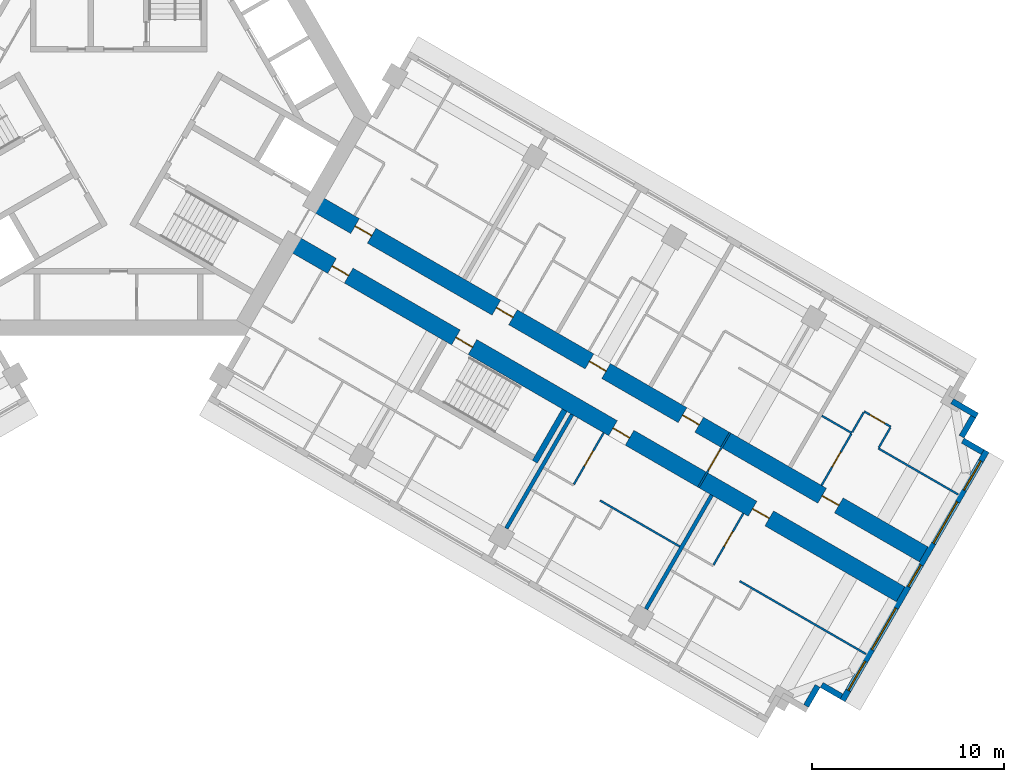
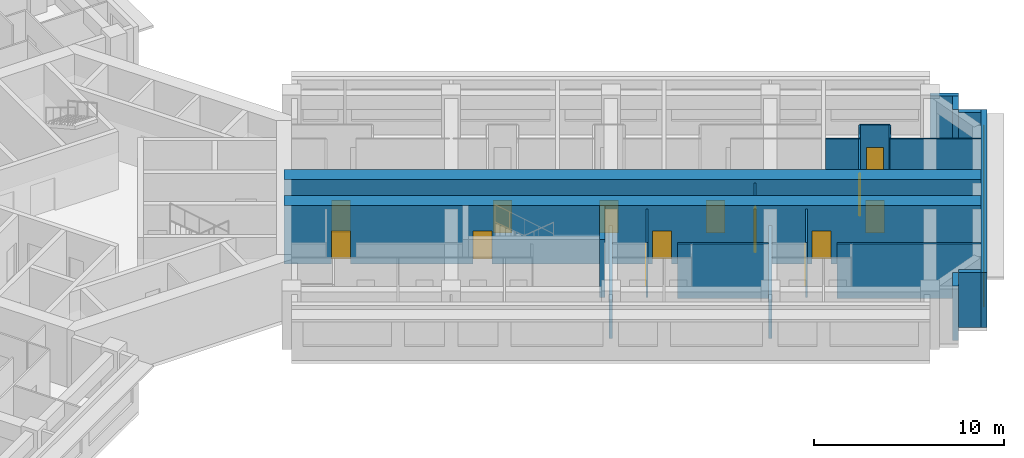
# One storey, part 11 of 14: 22 walls, 14 doors, 5 windows, 19 openings.
"""IFC4 building model written with IfcOpenShell, lengths in metres."""

from ifc_helpers import new_model, si_unit, direction, frame, frame_2d, origin, place, context, subcontext, project, spatial, rectangle, extrude, material, layer, layer_set, type_object, element, fill, save


model = new_model("IFC4")

# Units and contexts
model_context = context("Model", 3, precision=1e-05, world=origin(), true_north=direction((0.0, 1.0)))
body_context = subcontext(model_context, "Body", "Model", "MODEL_VIEW")
ifc_project = project(units=[si_unit("LENGTHUNIT", "METRE"), si_unit("AREAUNIT", "SQUARE_METRE"), si_unit("VOLUMEUNIT", "CUBIC_METRE"), si_unit("PLANEANGLEUNIT", "RADIAN"), si_unit("MASSUNIT", "GRAM", prefix="KILO")], contexts=[model_context])

# Site, building, storey
site_placement = place(None, origin())
site = spatial("IfcSite", under=ifc_project, at=site_placement, CompositionType="ELEMENT")
building_placement = place(site_placement, origin())
building = spatial("IfcBuilding", under=site, at=building_placement, Name="Impinga Residences", CompositionType="ELEMENT")
storey_placement = place(building_placement, frame((0.0, 0.0, 121.0)))
storey = spatial("IfcBuildingStorey", under=building, at=storey_placement, Name="L29", CompositionType="ELEMENT", Elevation=121.0)

# Wall, openings, doors
ifc_material_1 = material(Name="Concrete C60/75", Category="concrete")
ifc_layer_1 = layer(ifc_material_1, 0.89990234375)
ifc_layer_set_1 = layer_set([ifc_layer_1], Name="Concrete C60/75")
wall_type_1 = type_object("IfcWallType", Name="BW2 corridor buttress wall, L24 to L44 900", PredefinedType="SHEAR", material=ifc_layer_set_1)
wall_1_placement = place(storey_placement, frame((10.153564453125, -4.4765625, 0.0), z_axis=(0.0, 0.0, 1.0), x_axis=(0.866027614434, -0.499996171023, 0.0)))
wall_1 = element("IfcWall", 1, at=wall_1_placement, inside=storey, type_object=wall_type_1, Name="Corridor wall BW2 EC L29", PredefinedType="SHEAR", context=body_context, shape_type="SweptSolid", body=[
    extrude(rectangle(XDim=36.699951171875, YDim=0.89990234375, at=frame_2d((18.35009765625, 0.0))), origin(), (0.0, 0.0, 1.0), 3.75),
])
opening_1_placement = place(wall_1_placement, frame((2.5, 0.0, 0.0)))
opening_1 = element("IfcOpeningElement", 2, at=opening_1_placement, cuts=wall_1, Name="Opening D1", PredefinedType="OPENING", context=body_context, shape_type="SweptSolid", body=[
    extrude(rectangle(XDim=1.0, YDim=2.10009765625, at=frame_2d((0.5, 1.050048828125))), frame((0.0, 0.4599609375, 0.0), z_axis=(0.0, -1.0, 0.0), x_axis=(1.0, 0.0, 0.0)), (0.0, 0.0, 1.0), 0.919921875),
])
opening_2_placement = place(wall_1_placement, frame((11.0, 0.0, 0.0)))
opening_2 = element("IfcOpeningElement", 3, at=opening_2_placement, cuts=wall_1, Name="Opening D1", PredefinedType="OPENING", context=body_context, shape_type="SweptSolid", body=[
    extrude(rectangle(XDim=1.0, YDim=2.10009765625, at=frame_2d((0.5, 1.050048828125))), frame((0.0, 0.4599609375, 0.0), z_axis=(0.0, -1.0, 0.0), x_axis=(1.0, 0.0, 0.0)), (0.0, 0.0, 1.0), 0.919921875),
])
opening_3_placement = place(wall_1_placement, frame((16.60009765625, 0.0, 0.0)))
opening_3 = element("IfcOpeningElement", 4, at=opening_3_placement, cuts=wall_1, Name="Opening D1", PredefinedType="OPENING", context=body_context, shape_type="SweptSolid", body=[
    extrude(rectangle(XDim=1.0, YDim=2.10009765625, at=frame_2d((0.5, 1.050048828125))), frame((0.0, 0.4599609375, 0.0), z_axis=(0.0, -1.0, 0.0), x_axis=(1.0, 0.0, 0.0)), (0.0, 0.0, 1.0), 0.919921875),
])
opening_4_placement = place(wall_1_placement, frame((22.199951171875, 0.0, 0.0)))
opening_4 = element("IfcOpeningElement", 5, at=opening_4_placement, cuts=wall_1, Name="Opening D1", PredefinedType="OPENING", context=body_context, shape_type="SweptSolid", body=[
    extrude(rectangle(XDim=1.0, YDim=2.10009765625, at=frame_2d((0.5, 1.050048828125))), frame((0.0, 0.4599609375, 0.0), z_axis=(0.0, -1.0, 0.0), x_axis=(1.0, 0.0, 0.0)), (0.0, 0.0, 1.0), 0.919921875),
])
opening_5_placement = place(wall_1_placement, frame((30.60009765625, 0.0, 0.0)))
opening_5 = element("IfcOpeningElement", 6, at=opening_5_placement, cuts=wall_1, Name="Opening D1", PredefinedType="OPENING", context=body_context, shape_type="SweptSolid", body=[
    extrude(rectangle(XDim=1.0, YDim=2.10009765625, at=frame_2d((0.5, 1.050048828125))), frame((0.0, 0.4599609375, 0.0), z_axis=(0.0, -1.0, 0.0), x_axis=(1.0, 0.0, 0.0)), (0.0, 0.0, 1.0), 0.919921875),
])
ifc_material_2 = material(Name="Timber door set", Category="wood")
door_type_1 = type_object("IfcDoorType", Name="D1 apartment entrance door 1000x2100", OperationType="SINGLE_SWING_LEFT", PredefinedType="DOOR", material=ifc_material_2)
door_1_placement = place(opening_1_placement, origin())
door_1 = element("IfcDoor", 7, at=door_1_placement, inside=storey, type_object=door_type_1, Name="Apartment L29-EA1 entrance", OperationType="SINGLE_SWING_LEFT", OverallHeight=2.10009765625, OverallWidth=1.0, PredefinedType="DOOR", context=body_context, shape_type="SweptSolid", body=[
    extrude(rectangle(XDim=1.0, YDim=2.10009765625, at=frame_2d((0.5, 1.050048828125))), frame((0.0, 0.02490234375, 0.0), z_axis=(0.0, -1.0, 0.0), x_axis=(1.0, 0.0, 0.0)), (0.0, 0.0, 1.0), 0.050048828125),
])
fill(opening_1, door_1)
door_2_placement = place(opening_2_placement, origin())
door_2 = element("IfcDoor", 8, at=door_2_placement, inside=storey, type_object=door_type_1, Name="Apartment L29-EA2 entrance", OperationType="SINGLE_SWING_LEFT", OverallHeight=2.10009765625, OverallWidth=1.0, PredefinedType="DOOR", context=body_context, shape_type="SweptSolid", body=[
    extrude(rectangle(XDim=1.0, YDim=2.10009765625, at=frame_2d((0.5, 1.050048828125))), frame((0.0, 0.02490234375, 0.0), z_axis=(0.0, -1.0, 0.0), x_axis=(1.0, 0.0, 0.0)), (0.0, 0.0, 1.0), 0.050048828125),
])
fill(opening_2, door_2)
door_3_placement = place(opening_3_placement, origin())
door_3 = element("IfcDoor", 9, at=door_3_placement, inside=storey, type_object=door_type_1, Name="Apartment L29-EA3 entrance", OperationType="SINGLE_SWING_LEFT", OverallHeight=2.10009765625, OverallWidth=1.0, PredefinedType="DOOR", context=body_context, shape_type="SweptSolid", body=[
    extrude(rectangle(XDim=1.0, YDim=2.10009765625, at=frame_2d((0.5, 1.050048828125))), frame((0.0, 0.02490234375, 0.0), z_axis=(0.0, -1.0, 0.0), x_axis=(1.0, 0.0, 0.0)), (0.0, 0.0, 1.0), 0.050048828125),
])
fill(opening_3, door_3)
door_4_placement = place(opening_4_placement, origin())
door_4 = element("IfcDoor", 10, at=door_4_placement, inside=storey, type_object=door_type_1, Name="Apartment L29-EA4 entrance", OperationType="SINGLE_SWING_RIGHT", OverallHeight=2.10009765625, OverallWidth=1.0, PredefinedType="DOOR", context=body_context, shape_type="SweptSolid", body=[
    extrude(rectangle(XDim=1.0, YDim=2.10009765625, at=frame_2d((0.5, 1.050048828125))), frame((0.0, 0.02490234375, 0.0), z_axis=(0.0, -1.0, 0.0), x_axis=(1.0, 0.0, 0.0)), (0.0, 0.0, 1.0), 0.050048828125),
])
fill(opening_4, door_4)
door_5_placement = place(opening_5_placement, origin())
door_5 = element("IfcDoor", 11, at=door_5_placement, inside=storey, type_object=door_type_1, Name="Apartment L29-EA5 entrance", OperationType="SINGLE_SWING_RIGHT", OverallHeight=2.10009765625, OverallWidth=1.0, PredefinedType="DOOR", context=body_context, shape_type="SweptSolid", body=[
    extrude(rectangle(XDim=1.0, YDim=2.10009765625, at=frame_2d((0.5, 1.050048828125))), frame((0.0, 0.02490234375, 0.0), z_axis=(0.0, -1.0, 0.0), x_axis=(1.0, 0.0, 0.0)), (0.0, 0.0, 1.0), 0.050048828125),
])
fill(opening_5, door_5)

wall_2_placement = place(storey_placement, frame((8.95361328125, -6.554931640625, 0.0), z_axis=(0.0, 0.0, 1.0), x_axis=(0.866024733898, -0.500001160275, 0.0)))
wall_2 = element("IfcWall", 12, at=wall_2_placement, inside=storey, type_object=wall_type_1, Name="Corridor wall BW2 ED L29", PredefinedType="SHEAR", context=body_context, shape_type="SweptSolid", body=[
    extrude(rectangle(XDim=36.7001953125, YDim=0.89990234375, at=frame_2d((18.35009765625, 0.0))), origin(), (0.0, 0.0, 1.0), 3.75),
])
opening_6_placement = place(wall_2_placement, frame((9.949951171875, 0.0, 0.0)))
opening_6 = element("IfcOpeningElement", 13, at=opening_6_placement, cuts=wall_2, Name="Opening D5", PredefinedType="OPENING", context=body_context, shape_type="SweptSolid", body=[
    extrude(rectangle(XDim=1.0, YDim=2.10009765625, at=frame_2d((0.5, 1.050048828125))), frame((0.0, 0.4599609375, 0.0), z_axis=(0.0, -1.0, 0.0), x_axis=(1.0, 0.0, 0.0)), (0.0, 0.0, 1.0), 0.919921875),
])
opening_7_placement = place(wall_2_placement, frame((2.5, 0.0, 0.0)))
opening_7 = element("IfcOpeningElement", 14, at=opening_7_placement, cuts=wall_2, Name="Opening D1", PredefinedType="OPENING", context=body_context, shape_type="SweptSolid", body=[
    extrude(rectangle(XDim=1.0, YDim=2.10009765625, at=frame_2d((0.5, 1.050048828125))), frame((0.0, 0.4599609375, 0.0), z_axis=(0.0, -1.0, 0.0), x_axis=(1.0, 0.0, 0.0)), (0.0, 0.0, 1.0), 0.919921875),
])
opening_8_placement = place(wall_2_placement, frame((19.39990234375, 0.0, 0.0)))
opening_8 = element("IfcOpeningElement", 15, at=opening_8_placement, cuts=wall_2, Name="Opening D1", PredefinedType="OPENING", context=body_context, shape_type="SweptSolid", body=[
    extrude(rectangle(XDim=1.0, YDim=2.10009765625, at=frame_2d((0.5, 1.050048828125))), frame((0.0, 0.4599609375, 0.0), z_axis=(0.0, -1.0, 0.0), x_axis=(1.0, 0.0, 0.0)), (0.0, 0.0, 1.0), 0.919921875),
])
opening_9_placement = place(wall_2_placement, frame((27.800048828125, 0.0, 0.0)))
opening_9 = element("IfcOpeningElement", 16, at=opening_9_placement, cuts=wall_2, Name="Opening D1", PredefinedType="OPENING", context=body_context, shape_type="SweptSolid", body=[
    extrude(rectangle(XDim=1.0, YDim=2.10009765625, at=frame_2d((0.5, 1.050048828125))), frame((0.0, 0.4599609375, 0.0), z_axis=(0.0, -1.0, 0.0), x_axis=(1.0, 0.0, 0.0)), (0.0, 0.0, 1.0), 0.919921875),
])
door_6_placement = place(opening_7_placement, origin())
door_6 = element("IfcDoor", 17, at=door_6_placement, inside=storey, type_object=door_type_1, Name="Apartment L29-EF1 entrance", OperationType="SINGLE_SWING_LEFT", OverallHeight=2.10009765625, OverallWidth=1.0, PredefinedType="DOOR", context=body_context, shape_type="SweptSolid", body=[
    extrude(rectangle(XDim=1.0, YDim=2.10009765625, at=frame_2d((0.5, 1.050048828125))), frame((0.0, 0.02490234375, 0.0), z_axis=(0.0, -1.0, 0.0), x_axis=(1.0, 0.0, 0.0)), (0.0, 0.0, 1.0), 0.050048828125),
])
fill(opening_7, door_6)
door_7_placement = place(opening_8_placement, origin())
door_7 = element("IfcDoor", 18, at=door_7_placement, inside=storey, type_object=door_type_1, Name="Apartment L29-EF2 entrance", OperationType="SINGLE_SWING_RIGHT", OverallHeight=2.10009765625, OverallWidth=1.0, PredefinedType="DOOR", context=body_context, shape_type="SweptSolid", body=[
    extrude(rectangle(XDim=1.0, YDim=2.10009765625, at=frame_2d((0.5, 1.050048828125))), frame((0.0, 0.02490234375, 0.0), z_axis=(0.0, -1.0, 0.0), x_axis=(1.0, 0.0, 0.0)), (0.0, 0.0, 1.0), 0.050048828125),
])
fill(opening_8, door_7)
door_8_placement = place(opening_9_placement, origin())
door_8 = element("IfcDoor", 19, at=door_8_placement, inside=storey, type_object=door_type_1, Name="Apartment L29-EF3 entrance", OperationType="SINGLE_SWING_RIGHT", OverallHeight=2.10009765625, OverallWidth=1.0, PredefinedType="DOOR", context=body_context, shape_type="SweptSolid", body=[
    extrude(rectangle(XDim=1.0, YDim=2.10009765625, at=frame_2d((0.5, 1.050048828125))), frame((0.0, 0.02490234375, 0.0), z_axis=(0.0, -1.0, 0.0), x_axis=(1.0, 0.0, 0.0)), (0.0, 0.0, 1.0), 0.050048828125),
])
fill(opening_9, door_8)
door_type_2 = type_object("IfcDoorType", Name="D5 stair door 1000x2100", OperationType="SINGLE_SWING_LEFT", PredefinedType="DOOR", material=ifc_material_2)
door_9_placement = place(opening_6_placement, origin())
door_9 = element("IfcDoor", 20, at=door_9_placement, inside=storey, type_object=door_type_2, Name="Wing stair door E", OperationType="SINGLE_SWING_LEFT", OverallHeight=2.10009765625, OverallWidth=1.0, PredefinedType="DOOR", context=body_context, shape_type="SweptSolid", body=[
    extrude(rectangle(XDim=1.0, YDim=2.10009765625, at=frame_2d((0.5, 1.050048828125))), frame((0.0, 0.02490234375, 0.0), z_axis=(0.0, -1.0, 0.0), x_axis=(1.0, 0.0, 0.0)), (0.0, 0.0, 1.0), 0.050048828125),
])
fill(opening_6, door_9)

# Wall, opening, door
ifc_material_3 = material(Name="Concrete blockwork", Category="masonry")
ifc_layer_2 = layer(ifc_material_3, 0.10009765625)
ifc_layer_set_2 = layer_set([ifc_layer_2], Name="CP1 core room partition, blockwork 100")
wall_type_2 = type_object("IfcWallType", Name="CP1 core room partition, blockwork 100", PredefinedType="PARTITIONING", material=ifc_layer_set_2)
wall_3_placement = place(storey_placement, frame((31.85595703125, -16.48681640625, 0.0), z_axis=(0.0, 0.0, 1.0), x_axis=(-0.499974350878, -0.866040211805, 0.0)))
wall_3 = element("IfcWall", 21, at=wall_3_placement, inside=storey, type_object=wall_type_2, Name="Core room partition, blockwork L29:E:PLB", PredefinedType="PARTITIONING", context=body_context, shape_type="SweptSolid", body=[
    extrude(rectangle(XDim=3.300048828125, YDim=0.10009765625, at=frame_2d((1.64990234375, 0.0))), origin(), (0.0, 0.0, 1.0), 3.530029296875),
])
opening_10_placement = place(wall_3_placement, frame((1.050048828125, 0.0, 0.0)))
opening_10 = element("IfcOpeningElement", 22, at=opening_10_placement, cuts=wall_3, Name="Opening D3", PredefinedType="OPENING", context=body_context, shape_type="SweptSolid", body=[
    extrude(rectangle(XDim=1.199951171875, YDim=2.10009765625, at=frame_2d((0.60009765625, 1.050048828125))), frame((0.0, 0.06005859375, 0.0), z_axis=(0.0, -1.0, 0.0), x_axis=(1.0, 0.0, 0.0)), (0.0, 0.0, 1.0), 0.1201171875),
])
door_type_3 = type_object("IfcDoorType", Name="D3 room door, leaf and a half 1200x2100", OperationType="DOUBLE_SWING_LEFT", PredefinedType="DOOR", material=ifc_material_2)
door_10_placement = place(opening_10_placement, origin())
door_10 = element("IfcDoor", 23, at=door_10_placement, inside=storey, type_object=door_type_3, Name="Private lobby door E", OperationType="DOUBLE_SWING_LEFT", OverallHeight=2.10009765625, OverallWidth=1.199951171875, PredefinedType="DOOR", context=body_context, shape_type="SweptSolid", body=[
    extrude(rectangle(XDim=1.199951171875, YDim=2.10009765625, at=frame_2d((0.60009765625, 1.050048828125))), frame((0.0, 0.02490234375, 0.0), z_axis=(0.0, -1.0, 0.0), x_axis=(1.0, 0.0, 0.0)), (0.0, 0.0, 1.0), 0.050048828125),
])
fill(opening_10, door_10)

# Walls
ifc_material_4 = material(Name="Terracotta rainscreen on blockwork", Category="masonry")
ifc_layer_3 = layer(ifc_material_4, 0.300048828125)
ifc_layer_set_3 = layer_set([ifc_layer_3], Name="EW1 external wall, terracotta rainscreen on blockwork 300")
wall_type_3 = type_object("IfcWallType", Name="EW1 external wall, terracotta rainscreen on blockwork 300", PredefinedType="SOLIDWALL", material=ifc_layer_set_3)
wall_4_placement = place(storey_placement, frame((43.42333984375, -14.8515625, 0.0), z_axis=(0.0, 0.0, 1.0), x_axis=(0.866031096941, -0.499990139034, 0.0)))
element("IfcWall", 24, at=wall_4_placement, inside=storey, type_object=wall_type_3, Name="External wall EW1 L29", PredefinedType="SOLIDWALL", context=body_context, shape_type="SweptSolid", body=[
    extrude(rectangle(XDim=1.5, YDim=0.300048828125, at=frame_2d((0.75, 0.0))), origin(), (0.0, 0.0, 1.0), 3.530029296875),
])
wall_5_placement = place(storey_placement, frame((44.517578125, -15.65625, 0.0), z_axis=(0.0, 0.0, 1.0), x_axis=(-0.500033551112, -0.866006032174, 0.0)))
element("IfcWall", 25, at=wall_5_placement, inside=storey, type_object=wall_type_3, Name="External wall EW1 L29", PredefinedType="SOLIDWALL", context=body_context, shape_type="SweptSolid", body=[
    extrude(rectangle(XDim=1.2001953125, YDim=0.300048828125, at=frame_2d((0.60009765625, 0.0))), origin(), (0.0, 0.0, 1.0), 3.530029296875),
])
wall_6_placement = place(storey_placement, frame((43.976806640625, -16.903076171875, 0.0), z_axis=(0.0, 0.0, 1.0), x_axis=(0.866059708757, -0.499940577336, 0.0)))
element("IfcWall", 26, at=wall_6_placement, inside=storey, type_object=wall_type_3, Name="External wall EW1 L29", PredefinedType="SOLIDWALL", context=body_context, shape_type="SweptSolid", body=[
    extrude(rectangle(XDim=1.195068359375, YDim=0.300048828125, at=frame_2d((0.59765625, 0.0))), origin(), (0.0, 0.0, 1.0), 3.530029296875),
])

# Wall, openings, windows
wall_7_placement = place(storey_placement, frame((45.216552734375, -17.445556640625, 0.0), z_axis=(0.0, 0.0, 1.0), x_axis=(-0.499997186618, -0.866027028085, 0.0)))
wall_7 = element("IfcWall", 27, at=wall_7_placement, inside=storey, type_object=wall_type_3, Name="External wall EW1 L29", PredefinedType="SOLIDWALL", context=body_context, shape_type="SweptSolid", body=[
    extrude(rectangle(XDim=15.0, YDim=0.300048828125, at=frame_2d((7.5, 0.0))), origin(), (0.0, 0.0, 1.0), 3.530029296875),
])
opening_11_placement = place(wall_7_placement, frame((0.60009765625, 0.0, 0.89990234375)))
opening_11 = element("IfcOpeningElement", 28, at=opening_11_placement, cuts=wall_7, Name="Opening W1", PredefinedType="OPENING", context=body_context, shape_type="SweptSolid", body=[
    extrude(rectangle(XDim=1.75, YDim=2.050048828125, at=frame_2d((0.875, 1.02490234375))), frame((0.0, 0.159912109375, 0.0), z_axis=(0.0, -1.0, 0.0), x_axis=(1.0, 0.0, 0.0)), (0.0, 0.0, 1.0), 0.320068359375),
])
opening_12_placement = place(wall_7_placement, frame((3.050048828125, 0.0, 0.89990234375)))
opening_12 = element("IfcOpeningElement", 29, at=opening_12_placement, cuts=wall_7, Name="Opening W2", PredefinedType="OPENING", context=body_context, shape_type="SweptSolid", body=[
    extrude(rectangle(XDim=2.5, YDim=2.050048828125, at=frame_2d((1.25, 1.02490234375))), frame((0.0, 0.159912109375, 0.0), z_axis=(0.0, -1.0, 0.0), x_axis=(1.0, 0.0, 0.0)), (0.0, 0.0, 1.0), 0.320068359375),
])
opening_13_placement = place(wall_7_placement, frame((6.85009765625, 0.0, 0.89990234375)))
opening_13 = element("IfcOpeningElement", 30, at=opening_13_placement, cuts=wall_7, Name="Opening W17", PredefinedType="OPENING", context=body_context, shape_type="SweptSolid", body=[
    extrude(rectangle(XDim=1.300048828125, YDim=2.050048828125, at=frame_2d((0.64990234375, 1.02490234375))), frame((0.0, 0.159912109375, 0.0), z_axis=(0.0, -1.0, 0.0), x_axis=(1.0, 0.0, 0.0)), (0.0, 0.0, 1.0), 0.320068359375),
])
opening_14_placement = place(wall_7_placement, frame((9.449951171875, 0.0, 0.89990234375)))
opening_14 = element("IfcOpeningElement", 31, at=opening_14_placement, cuts=wall_7, Name="Opening W2", PredefinedType="OPENING", context=body_context, shape_type="SweptSolid", body=[
    extrude(rectangle(XDim=2.5, YDim=2.050048828125, at=frame_2d((1.25, 1.02490234375))), frame((0.0, 0.159912109375, 0.0), z_axis=(0.0, -1.0, 0.0), x_axis=(1.0, 0.0, 0.0)), (0.0, 0.0, 1.0), 0.320068359375),
])
opening_15_placement = place(wall_7_placement, frame((12.64990234375, 0.0, 0.89990234375)))
opening_15 = element("IfcOpeningElement", 32, at=opening_15_placement, cuts=wall_7, Name="Opening W1", PredefinedType="OPENING", context=body_context, shape_type="SweptSolid", body=[
    extrude(rectangle(XDim=1.75, YDim=2.050048828125, at=frame_2d((0.875, 1.02490234375))), frame((0.0, 0.159912109375, 0.0), z_axis=(0.0, -1.0, 0.0), x_axis=(1.0, 0.0, 0.0)), (0.0, 0.0, 1.0), 0.320068359375),
])
ifc_material_5 = material(Name="Aluminium window, clear double glazing", Category="aluminium")
window_type_1 = type_object("IfcWindowType", Name="W1 ribbon window 1750x2050", PartitioningType="SINGLE_PANEL", PredefinedType="WINDOW", material=ifc_material_5)
window_1_placement = place(opening_11_placement, origin())
window_1 = element("IfcWindow", 33, at=window_1_placement, inside=storey, type_object=window_type_1, Name="Window L29", OverallHeight=2.050048828125, OverallWidth=1.75, PartitioningType="SINGLE_PANEL", PredefinedType="WINDOW", context=body_context, shape_type="SweptSolid", body=[
    extrude(rectangle(XDim=1.75, YDim=2.050048828125, at=frame_2d((0.875, 1.02490234375))), frame((0.0, 0.030029296875, 0.0), z_axis=(0.0, -1.0, 0.0), x_axis=(1.0, 0.0, 0.0)), (0.0, 0.0, 1.0), 0.06005859375),
])
fill(opening_11, window_1)
window_2_placement = place(opening_15_placement, origin())
window_2 = element("IfcWindow", 34, at=window_2_placement, inside=storey, type_object=window_type_1, Name="Window L29", OverallHeight=2.050048828125, OverallWidth=1.75, PartitioningType="SINGLE_PANEL", PredefinedType="WINDOW", context=body_context, shape_type="SweptSolid", body=[
    extrude(rectangle(XDim=1.75, YDim=2.050048828125, at=frame_2d((0.875, 1.02490234375))), frame((0.0, 0.030029296875, 0.0), z_axis=(0.0, -1.0, 0.0), x_axis=(1.0, 0.0, 0.0)), (0.0, 0.0, 1.0), 0.06005859375),
])
fill(opening_15, window_2)
window_type_2 = type_object("IfcWindowType", Name="W17 ribbon window 1300x2050", PartitioningType="SINGLE_PANEL", PredefinedType="WINDOW", material=ifc_material_5)
window_3_placement = place(opening_13_placement, origin())
window_3 = element("IfcWindow", 35, at=window_3_placement, inside=storey, type_object=window_type_2, Name="Window L29", OverallHeight=2.050048828125, OverallWidth=1.300048828125, PartitioningType="SINGLE_PANEL", PredefinedType="WINDOW", context=body_context, shape_type="SweptSolid", body=[
    extrude(rectangle(XDim=1.300048828125, YDim=2.050048828125, at=frame_2d((0.64990234375, 1.02490234375))), frame((0.0, 0.030029296875, 0.0), z_axis=(0.0, -1.0, 0.0), x_axis=(1.0, 0.0, 0.0)), (0.0, 0.0, 1.0), 0.06005859375),
])
fill(opening_13, window_3)
window_type_3 = type_object("IfcWindowType", Name="W2 ribbon window 2500x2050", PartitioningType="SINGLE_PANEL", PredefinedType="WINDOW", material=ifc_material_5)
window_4_placement = place(opening_12_placement, origin())
window_4 = element("IfcWindow", 36, at=window_4_placement, inside=storey, type_object=window_type_3, Name="Window L29", OverallHeight=2.050048828125, OverallWidth=2.5, PartitioningType="SINGLE_PANEL", PredefinedType="WINDOW", context=body_context, shape_type="SweptSolid", body=[
    extrude(rectangle(XDim=2.5, YDim=2.050048828125, at=frame_2d((1.25, 1.02490234375))), frame((0.0, 0.030029296875, 0.0), z_axis=(0.0, -1.0, 0.0), x_axis=(1.0, 0.0, 0.0)), (0.0, 0.0, 1.0), 0.06005859375),
])
fill(opening_12, window_4)
window_5_placement = place(opening_14_placement, origin())
window_5 = element("IfcWindow", 37, at=window_5_placement, inside=storey, type_object=window_type_3, Name="Window L29", OverallHeight=2.050048828125, OverallWidth=2.5, PartitioningType="SINGLE_PANEL", PredefinedType="WINDOW", context=body_context, shape_type="SweptSolid", body=[
    extrude(rectangle(XDim=2.5, YDim=2.050048828125, at=frame_2d((1.25, 1.02490234375))), frame((0.0, 0.030029296875, 0.0), z_axis=(0.0, -1.0, 0.0), x_axis=(1.0, 0.0, 0.0)), (0.0, 0.0, 1.0), 0.06005859375),
])
fill(opening_14, window_5)

# Walls
wall_8_placement = place(storey_placement, frame((37.66162109375, -30.23095703125, 0.0), z_axis=(0.0, 0.0, 1.0), x_axis=(-0.866059708757, 0.499940577336, 0.0)))
element("IfcWall", 38, at=wall_8_placement, inside=storey, type_object=wall_type_3, Name="External wall EW1 L29", PredefinedType="SOLIDWALL", context=body_context, shape_type="SweptSolid", body=[
    extrude(rectangle(XDim=1.195068359375, YDim=0.300048828125, at=frame_2d((0.59765625, 0.0))), origin(), (0.0, 0.0, 1.0), 3.530029296875),
])
wall_9_placement = place(storey_placement, frame((36.41748046875, -29.68603515625, 0.0), z_axis=(0.0, 0.0, 1.0), x_axis=(-0.499969057507, -0.866043267704, 0.0)))
element("IfcWall", 39, at=wall_9_placement, inside=storey, type_object=wall_type_3, Name="External wall EW1 L29", PredefinedType="SOLIDWALL", context=body_context, shape_type="SweptSolid", body=[
    extrude(rectangle(XDim=1.19970703125, YDim=0.300048828125, at=frame_2d((0.599853515625, 0.0))), origin(), (0.0, 0.0, 1.0), 3.530029296875),
])
ifc_material_6 = material(Name="Gypsum board on steel studs", Category="steel")
ifc_layer_4 = layer(ifc_material_6, 0.10009765625)
ifc_layer_set_4 = layer_set([ifc_layer_4], Name="Gypsum board on steel studs")
wall_type_4 = type_object("IfcWallType", Name="IP1 partition 100", PredefinedType="PARTITIONING", material=ifc_layer_set_4)
wall_10_placement = place(storey_placement, frame((36.63525390625, -15.60888671875, 0.0), z_axis=(0.0, 0.0, 1.0), x_axis=(0.866047807691, -0.499961193289, 0.0)))
element("IfcWall", 40, at=wall_10_placement, inside=storey, type_object=wall_type_4, Name="Partition L29-EA5:DIV0", PredefinedType="PARTITIONING", context=body_context, shape_type="SweptSolid", body=[
    extrude(rectangle(XDim=1.800048828125, YDim=0.10009765625, at=frame_2d((0.89990234375, 0.0))), origin(), (0.0, 0.0, 1.0), 3.530029296875),
])
wall_11_placement = place(storey_placement, frame((39.579833984375, -17.308837890625, 0.0), z_axis=(0.0, 0.0, 1.0), x_axis=(0.866037363387, -0.499979284789, 0.0)))
element("IfcWall", 41, at=wall_11_placement, inside=storey, type_object=wall_type_4, Name="Partition L29-EA5:DIV1", PredefinedType="PARTITIONING", context=body_context, shape_type="SweptSolid", body=[
    extrude(rectangle(XDim=4.800048828125, YDim=0.10009765625, at=frame_2d((2.39990234375, 0.0))), origin(), (0.0, 0.0, 1.0), 3.530029296875),
])

# Wall, opening, door
wall_12_placement = place(storey_placement, frame((38.84423828125, -15.383056640625, 0.0), z_axis=(0.0, 0.0, 1.0), x_axis=(0.865989903783, -0.500061482766, 0.0)))
wall_12 = element("IfcWall", 42, at=wall_12_placement, inside=storey, type_object=wall_type_4, Name="Partition L29-EA5:STRIP", PredefinedType="PARTITIONING", context=body_context, shape_type="SweptSolid", body=[
    extrude(rectangle(XDim=1.599853515625, YDim=0.10009765625, at=frame_2d((0.7998046875, 0.0))), origin(), (0.0, 0.0, 1.0), 3.530029296875),
])
opening_16_placement = place(wall_12_placement, frame((0.35009765625, 0.0, 0.0)))
opening_16 = element("IfcOpeningElement", 43, at=opening_16_placement, cuts=wall_12, Name="Opening D2", PredefinedType="OPENING", context=body_context, shape_type="SweptSolid", body=[
    extrude(rectangle(XDim=0.89990234375, YDim=2.10009765625, at=frame_2d((0.449951171875, 1.050048828125))), frame((0.0, 0.06005859375, 0.0), z_axis=(0.0, -1.0, 0.0), x_axis=(1.0, 0.0, 0.0)), (0.0, 0.0, 1.0), 0.1201171875),
])
door_type_4 = type_object("IfcDoorType", Name="D2 internal door 900x2100", OperationType="SINGLE_SWING_LEFT", PredefinedType="DOOR", material=ifc_material_2)
door_11_placement = place(opening_16_placement, origin())
door_11 = element("IfcDoor", 44, at=door_11_placement, inside=storey, type_object=door_type_4, Name="Apartment L29-EA5 room door", OperationType="SINGLE_SWING_LEFT", OverallHeight=2.10009765625, OverallWidth=0.89990234375, PredefinedType="DOOR", context=body_context, shape_type="SweptSolid", body=[
    extrude(rectangle(XDim=0.89990234375, YDim=2.10009765625, at=frame_2d((0.449951171875, 1.050048828125))), frame((0.0, 0.02490234375, 0.0), z_axis=(0.0, -1.0, 0.0), x_axis=(1.0, 0.0, 0.0)), (0.0, 0.0, 1.0), 0.050048828125),
])
fill(opening_16, door_11)

# Walls
wall_13_placement = place(storey_placement, frame((38.21923828125, -16.465576171875, 0.0), z_axis=(0.0, 0.0, 1.0), x_axis=(0.499880961361, 0.866094119867, 0.0)))
element("IfcWall", 45, at=wall_13_placement, inside=storey, type_object=wall_type_4, Name="Partition L29-EA5:SE0", PredefinedType="PARTITIONING", context=body_context, shape_type="SweptSolid", body=[
    extrude(rectangle(XDim=1.199951171875, YDim=0.10009765625, at=frame_2d((0.60009765625, 0.0))), origin(), (0.0, 0.0, 1.0), 3.530029296875),
])
wall_14_placement = place(storey_placement, frame((39.604736328125, -17.265625, 0.0), z_axis=(0.0, 0.0, 1.0), x_axis=(0.500033551112, 0.866006032174, 0.0)))
element("IfcWall", 46, at=wall_14_placement, inside=storey, type_object=wall_type_4, Name="Partition L29-EA5:SE1", PredefinedType="PARTITIONING", context=body_context, shape_type="SweptSolid", body=[
    extrude(rectangle(XDim=1.2001953125, YDim=0.10009765625, at=frame_2d((0.60009765625, 0.0))), origin(), (0.0, 0.0, 1.0), 3.530029296875),
])

# Wall, opening, door
wall_15_placement = place(storey_placement, frame((36.619140625, -19.23681640625, 0.0), z_axis=(0.0, 0.0, 1.0), x_axis=(0.500026960575, 0.86600983753, 0.0)))
wall_15 = element("IfcWall", 47, at=wall_15_placement, inside=storey, type_object=wall_type_4, Name="Partition L29-EA5:IB1", PredefinedType="PARTITIONING", context=body_context, shape_type="SweptSolid", body=[
    extrude(rectangle(XDim=3.099853515625, YDim=0.10009765625, at=frame_2d((1.5498046875, 0.0))), origin(), (0.0, 0.0, 1.0), 3.530029296875),
])
opening_17_placement = place(wall_15_placement, frame((1.10009765625, 0.0, 0.0)))
opening_17 = element("IfcOpeningElement", 48, at=opening_17_placement, cuts=wall_15, Name="Opening D2", PredefinedType="OPENING", context=body_context, shape_type="SweptSolid", body=[
    extrude(rectangle(XDim=0.89990234375, YDim=2.10009765625, at=frame_2d((0.449951171875, 1.050048828125))), frame((0.0, 0.06005859375, 0.0), z_axis=(0.0, -1.0, 0.0), x_axis=(1.0, 0.0, 0.0)), (0.0, 0.0, 1.0), 0.1201171875),
])
door_12_placement = place(opening_17_placement, origin())
door_12 = element("IfcDoor", 49, at=door_12_placement, inside=storey, type_object=door_type_4, Name="Apartment L29-EA5 bathroom door", OperationType="SINGLE_SWING_LEFT", OverallHeight=2.10009765625, OverallWidth=0.89990234375, PredefinedType="DOOR", context=body_context, shape_type="SweptSolid", body=[
    extrude(rectangle(XDim=0.89990234375, YDim=2.10009765625, at=frame_2d((0.449951171875, 1.050048828125))), frame((0.0, 0.02490234375, 0.0), z_axis=(0.0, -1.0, 0.0), x_axis=(1.0, 0.0, 0.0)), (0.0, 0.0, 1.0), 0.050048828125),
])
fill(opening_17, door_12)

# Wall
wall_16_placement = place(storey_placement, frame((25.080322265625, -20.022705078125, 0.0), z_axis=(0.0, 0.0, 1.0), x_axis=(0.866037363387, -0.499979284789, 0.0)))
element("IfcWall", 50, at=wall_16_placement, inside=storey, type_object=wall_type_4, Name="Partition L29-EF2:DIV1", PredefinedType="PARTITIONING", context=body_context, shape_type="SweptSolid", body=[
    extrude(rectangle(XDim=4.800048828125, YDim=0.10009765625, at=frame_2d((2.39990234375, 0.0))), origin(), (0.0, 0.0, 1.0), 3.530029296875),
])

# Wall, opening, door
wall_17_placement = place(storey_placement, frame((25.269775390625, -16.49462890625, 0.0), z_axis=(0.0, 0.0, 1.0), x_axis=(-0.49999285859, -0.86602952684, 0.0)))
wall_17 = element("IfcWall", 51, at=wall_17_placement, inside=storey, type_object=wall_type_4, Name="Partition L29-EF2:IB1", PredefinedType="PARTITIONING", context=body_context, shape_type="SweptSolid", body=[
    extrude(rectangle(XDim=3.10009765625, YDim=0.10009765625, at=frame_2d((1.550048828125, 0.0))), origin(), (0.0, 0.0, 1.0), 3.530029296875),
])
opening_18_placement = place(wall_17_placement, frame((1.10009765625, 0.0, 0.0)))
opening_18 = element("IfcOpeningElement", 52, at=opening_18_placement, cuts=wall_17, Name="Opening D2", PredefinedType="OPENING", context=body_context, shape_type="SweptSolid", body=[
    extrude(rectangle(XDim=0.89990234375, YDim=2.10009765625, at=frame_2d((0.449951171875, 1.050048828125))), frame((0.0, 0.06005859375, 0.0), z_axis=(0.0, -1.0, 0.0), x_axis=(1.0, 0.0, 0.0)), (0.0, 0.0, 1.0), 0.1201171875),
])
door_13_placement = place(opening_18_placement, origin())
door_13 = element("IfcDoor", 53, at=door_13_placement, inside=storey, type_object=door_type_4, Name="Apartment L29-EF2 bathroom door", OperationType="SINGLE_SWING_LEFT", OverallHeight=2.10009765625, OverallWidth=0.89990234375, PredefinedType="DOOR", context=body_context, shape_type="SweptSolid", body=[
    extrude(rectangle(XDim=0.89990234375, YDim=2.10009765625, at=frame_2d((0.449951171875, 1.050048828125))), frame((0.0, 0.02490234375, 0.0), z_axis=(0.0, -1.0, 0.0), x_axis=(1.0, 0.0, 0.0)), (0.0, 0.0, 1.0), 0.050048828125),
])
fill(opening_18, door_13)

# Wall
wall_18_placement = place(storey_placement, frame((32.35498046875, -24.22265625, 0.0), z_axis=(0.0, 0.0, 1.0), x_axis=(0.866022425744, -0.500005158081, 0.0)))
element("IfcWall", 54, at=wall_18_placement, inside=storey, type_object=wall_type_4, Name="Partition L29-EF3:DIV1", PredefinedType="PARTITIONING", context=body_context, shape_type="SweptSolid", body=[
    extrude(rectangle(XDim=7.60009765625, YDim=0.10009765625, at=frame_2d((3.800048828125, 0.0))), origin(), (0.0, 0.0, 1.0), 3.530029296875),
])

# Wall, opening, door
wall_19_placement = place(storey_placement, frame((32.544189453125, -20.69482421875, 0.0), z_axis=(0.0, 0.0, 1.0), x_axis=(-0.499967891604, -0.866043940782, 0.0)))
wall_19 = element("IfcWall", 55, at=wall_19_placement, inside=storey, type_object=wall_type_4, Name="Partition L29-EF3:IB1", PredefinedType="PARTITIONING", context=body_context, shape_type="SweptSolid", body=[
    extrude(rectangle(XDim=3.099853515625, YDim=0.10009765625, at=frame_2d((1.5498046875, 0.0))), origin(), (0.0, 0.0, 1.0), 3.530029296875),
])
opening_19_placement = place(wall_19_placement, frame((1.10009765625, 0.0, 0.0)))
opening_19 = element("IfcOpeningElement", 56, at=opening_19_placement, cuts=wall_19, Name="Opening D2", PredefinedType="OPENING", context=body_context, shape_type="SweptSolid", body=[
    extrude(rectangle(XDim=0.89990234375, YDim=2.10009765625, at=frame_2d((0.449951171875, 1.050048828125))), frame((0.0, 0.06005859375, 0.0), z_axis=(0.0, -1.0, 0.0), x_axis=(1.0, 0.0, 0.0)), (0.0, 0.0, 1.0), 0.1201171875),
])
door_14_placement = place(opening_19_placement, origin())
door_14 = element("IfcDoor", 57, at=door_14_placement, inside=storey, type_object=door_type_4, Name="Apartment L29-EF3 bathroom door", OperationType="SINGLE_SWING_LEFT", OverallHeight=2.10009765625, OverallWidth=0.89990234375, PredefinedType="DOOR", context=body_context, shape_type="SweptSolid", body=[
    extrude(rectangle(XDim=0.89990234375, YDim=2.10009765625, at=frame_2d((0.449951171875, 1.050048828125))), frame((0.0, 0.02490234375, 0.0), z_axis=(0.0, -1.0, 0.0), x_axis=(1.0, 0.0, 0.0)), (0.0, 0.0, 1.0), 0.050048828125),
])
fill(opening_19, door_14)

# Walls
ifc_layer_5 = layer(ifc_material_3, 0.199951171875)
ifc_layer_set_5 = layer_set([ifc_layer_5], Name="PW1 party wall between apartments 200")
wall_type_5 = type_object("IfcWallType", Name="PW1 party wall between apartments 200", PredefinedType="SOLIDWALL", material=ifc_layer_set_5)
for number, where, z_axis, x_axis, name in (
    (58, (23.624267578125, -15.544677734375, 0.0), (0.0, 0.0, 1.0), (-0.499999086063, -0.866025931445, 0.0), "Party wall between apartments L29-EF1:PARTY"),
    (59, (30.89892578125, -19.74462890625, 0.0), (0.0, 0.0, 1.0), (-0.499999086063, -0.866025931445, 0.0), "Party wall between apartments L29-EF2:PARTY"),
):
    element("IfcWall", number, at=place(storey_placement, frame(where, z_axis=z_axis, x_axis=x_axis)), inside=storey, type_object=wall_type_5, Name=name, PredefinedType="SOLIDWALL", context=body_context, shape_type="SweptSolid", body=[
        extrude(rectangle(XDim=6.85009765625, YDim=0.199951171875, at=frame_2d((3.425048828125, 0.0))), origin(), (0.0, 0.0, 1.0), 2.47998046875),
    ])
ifc_layer_6 = layer(ifc_material_1, 0.300048828125)
ifc_layer_set_6 = layer_set([ifc_layer_6], Name="Concrete C60/75")
wall_type_6 = type_object("IfcWallType", Name="SE1 wing stair enclosure wall 300", PredefinedType="SOLIDWALL", material=ifc_layer_set_6)
wall_20_placement = place(storey_placement, frame((23.234619140625, -15.31982421875, 0.0), z_axis=(0.0, 0.0, 1.0), x_axis=(-0.500026960575, -0.86600983753, 0.0)))
element("IfcWall", 60, at=wall_20_placement, inside=storey, type_object=wall_type_6, Name="Stair enclosure wall SE1 E END1 L29", PredefinedType="SOLIDWALL", context=body_context, shape_type="SweptSolid", body=[
    extrude(rectangle(XDim=3.099853515625, YDim=0.300048828125, at=frame_2d((1.5498046875, 0.0))), origin(), (0.0, 0.0, 1.0), 3.75),
])

save(model, "model.ifc")
